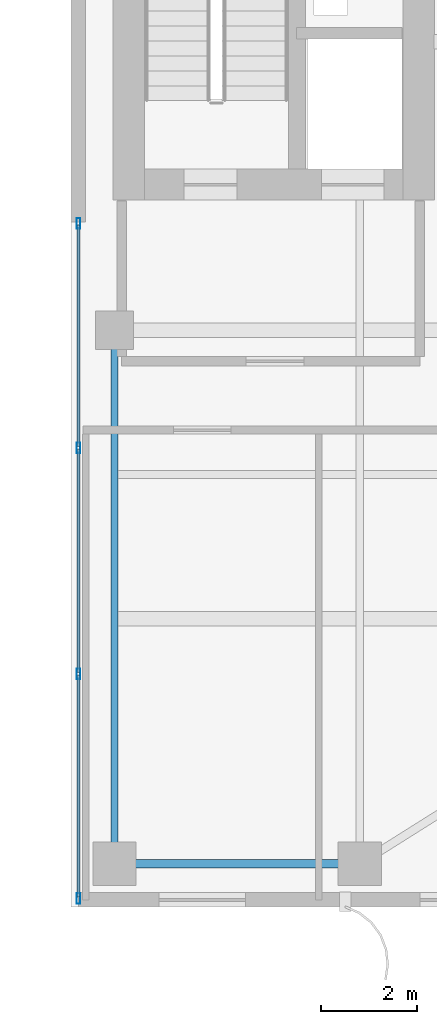
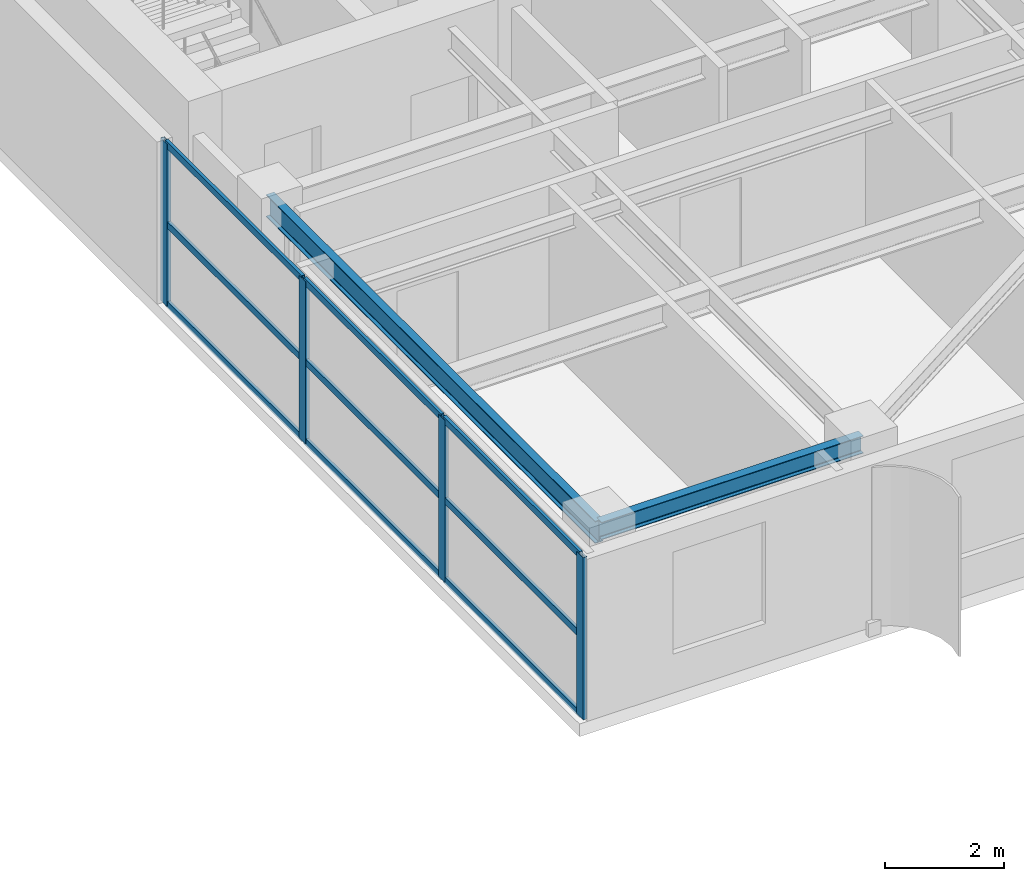
# One storey, part 5 of 22: 13 members, 2 beams, 1 element without a shape of its own.
"""IFC4 building model written with IfcOpenShell, lengths in metres."""

import ifcopenshell
import ifcopenshell.guid

model = None  # the IFC model being written
_history = None  # IfcOwnerHistory: only IFC2X3 demands one
_inside = {}  # id of a spatial element -> (the spatial element, [elements in it])
_under = {}  # id of a project, library or spatial element -> (it, [spatial elements below it])
_declared = {}  # id of a project -> (the project, [libraries it declares])
_typed = {}  # id of a type object -> (the type object, [elements of that type])
_made_of = {}  # id of a material, layer set ... -> (it, [elements and type objects made of it])


def new_model(schema):
    """Start an empty IFC model of exactly this schema.

    Asked for "IFC4X3", IfcOpenShell would pick the latest addendum, in which some entities
    have other attributes; the version numbers below select the first issue.
    IFC2X3 requires an IfcOwnerHistory on every rooted entity: one is made here for all.
    """
    global model, _history
    if schema == "IFC4X3":
        model = ifcopenshell.file(schema_version=(4, 3, 0, 0))
    else:
        model = ifcopenshell.file(schema=schema)
    _inside.clear()
    _under.clear()
    _declared.clear()
    _typed.clear()
    _made_of.clear()
    _history = None
    if model.schema == "IFC2X3":
        org = make("IfcOrganization", Name="unknown")
        user = make(
            "IfcPersonAndOrganization",
            ThePerson=make("IfcPerson", FamilyName="unknown"),
            TheOrganization=org,
        )
        app = make(
            "IfcApplication",
            ApplicationDeveloper=org,
            Version="unknown",
            ApplicationFullName="unknown",
            ApplicationIdentifier="unknown",
        )
        _history = make(
            "IfcOwnerHistory",
            OwningUser=user,
            OwningApplication=app,
            ChangeAction="ADDED",
            CreationDate=0,
        )
    return model


def make(cls, **values):
    """One entity of the class cls with the attributes given. An attribute that is None is left unset."""
    return model.create_entity(
        cls, **{name: value for name, value in values.items() if value is not None}
    )


def rooted(cls, **values):
    """An entity with a GlobalId (a new one), such as an element, a storey or a relation."""
    return make(cls, GlobalId=ifcopenshell.guid.new(), OwnerHistory=_history, **values)


def si_unit(unit_type, name, prefix=None):
    """IfcSIUnit, for example si_unit("LENGTHUNIT", "METRE", prefix="MILLI")."""
    return make("IfcSIUnit", UnitType=unit_type, Prefix=prefix, Name=name)


def assignment(units):
    """IfcUnitAssignment: the units of a project."""
    return None if units is None else make("IfcUnitAssignment", Units=units)


def point(xyz):
    """IfcCartesianPoint."""
    return None if xyz is None else make("IfcCartesianPoint", Coordinates=xyz)


def direction(xyz):
    """IfcDirection."""
    return None if xyz is None else make("IfcDirection", DirectionRatios=xyz)


def frame(location, z_axis=None, x_axis=None):
    """IfcAxis2Placement3D, a coordinate frame: its origin and axes. An axis left out is left unset."""
    return make(
        "IfcAxis2Placement3D",
        Location=point(location),
        Axis=direction(z_axis),
        RefDirection=direction(x_axis),
    )


def frame_2d(location, x_axis=None):
    """IfcAxis2Placement2D, a coordinate frame in the plane: its origin and x axis."""
    return make(
        "IfcAxis2Placement2D", Location=point(location), RefDirection=direction(x_axis)
    )


def origin():
    """The frame at (0, 0, 0) with its axes left unset."""
    return frame((0.0, 0.0, 0.0))


def origin_2d():
    """The frame at (0, 0) in the plane with its x axis left unset."""
    return frame_2d((0.0, 0.0))


def place(relative_to, where):
    """IfcLocalPlacement: puts the frame where relative to a parent placement (None: the world)."""
    return make(
        "IfcLocalPlacement", PlacementRelTo=relative_to, RelativePlacement=where
    )


def context(
    kind, dimensions, precision=None, world=None, true_north=None, identifier=None
):
    """IfcGeometricRepresentationContext, for example the 3D "Model" context."""
    return make(
        "IfcGeometricRepresentationContext",
        ContextIdentifier=identifier,
        ContextType=kind,
        CoordinateSpaceDimension=dimensions,
        Precision=precision,
        WorldCoordinateSystem=world,
        TrueNorth=true_north,
    )


def subcontext(parent, identifier, kind, view, scale=None):
    """IfcGeometricRepresentationSubContext, for example "Body" below "Model"."""
    return make(
        "IfcGeometricRepresentationSubContext",
        ContextIdentifier=identifier,
        ContextType=kind,
        ParentContext=parent,
        TargetScale=scale,
        TargetView=view,
    )


def project(units=None, contexts=None):
    """IfcProject with its units and contexts."""
    return rooted(
        "IfcProject",
        Name="project",
        RepresentationContexts=contexts,
        UnitsInContext=assignment(units),
    )


def spatial(cls, under=None, at=None, **own):
    """A site, building, storey or space (cls), placed at a placement, below another one or the project."""
    s = rooted(cls, ObjectPlacement=at, **own)
    if under is not None:
        _under.setdefault(under.id(), (under, []))[1].append(s)
    return s


def profile(cls, at=None, kind="AREA", **sizes):
    """A parametric profile (cls). Its sizes go by their IFC names, for example OverallWidth=200.0."""
    return make(cls, ProfileType=kind, Position=at, **sizes)


def hollow_rectangle(**sizes):
    """IfcRectangleHollowProfileDef."""
    return profile("IfcRectangleHollowProfileDef", **sizes)


def i_section(**sizes):
    """IfcIShapeProfileDef."""
    return profile("IfcIShapeProfileDef", **sizes)


def extrude(swept, where, along, depth):
    """IfcExtrudedAreaSolid: the profile swept, set in the frame where, extruded along a direction by depth."""
    return make(
        "IfcExtrudedAreaSolid",
        SweptArea=swept,
        Position=where,
        ExtrudedDirection=direction(along),
        Depth=depth,
    )


def shape(context_of_items, identifier, shape_type, items):
    """IfcShapeRepresentation: the items that make up one representation, for example the "Body"."""
    return make(
        "IfcShapeRepresentation",
        ContextOfItems=context_of_items,
        RepresentationIdentifier=identifier,
        RepresentationType=shape_type,
        Items=items,
    )


def source(mapping_origin, context_of_items, identifier, shape_type, items):
    """IfcRepresentationMap: a shape defined once, which mapped items show again and again."""
    return make(
        "IfcRepresentationMap",
        MappingOrigin=mapping_origin,
        MappedRepresentation=shape(context_of_items, identifier, shape_type, items),
    )


def transform(
    local_origin,
    x_axis=None,
    y_axis=None,
    z_axis=None,
    scale=None,
    scale2=None,
    scale3=None,
    uniform=True,
):
    """IfcCartesianTransformationOperator3D, or its non-uniform kind. x_axis, y_axis, z_axis: its Axis1, 2, 3."""
    if uniform:
        return make(
            "IfcCartesianTransformationOperator3D",
            Axis1=direction(x_axis),
            Axis2=direction(y_axis),
            LocalOrigin=point(local_origin),
            Scale=scale,
            Axis3=direction(z_axis),
        )
    return make(
        "IfcCartesianTransformationOperator3DnonUniform",
        Axis1=direction(x_axis),
        Axis2=direction(y_axis),
        LocalOrigin=point(local_origin),
        Scale=scale,
        Axis3=direction(z_axis),
        Scale2=scale2,
        Scale3=scale3,
    )


def mapped(mapping_source, mapping_target):
    """IfcMappedItem: shows the shape of a source again, moved by a transform."""
    return make(
        "IfcMappedItem", MappingSource=mapping_source, MappingTarget=mapping_target
    )


def material(Name=None, Category=None):
    """IfcMaterial."""
    return make("IfcMaterial", Name=Name, Category=Category)


def layer(
    of_material, thickness, ventilated=None, Name=None, Category=None, Priority=None
):
    """IfcMaterialLayer: one layer of a wall or slab, of a material (None: an air gap)."""
    return make(
        "IfcMaterialLayer",
        Material=of_material,
        LayerThickness=thickness,
        IsVentilated=ventilated,
        Name=Name,
        Category=Category,
        Priority=Priority,
    )


def layer_set(layers, Name=None):
    """IfcMaterialLayerSet."""
    return make("IfcMaterialLayerSet", MaterialLayers=layers, LayerSetName=Name)


def material_profile(
    of_material, cross_section, Name=None, Category=None, Priority=None
):
    """IfcMaterialProfile: a cross section and its material."""
    return make(
        "IfcMaterialProfile",
        Name=Name,
        Material=of_material,
        Profile=cross_section,
        Priority=Priority,
        Category=Category,
    )


def profile_set(profiles, Name=None, composite=None):
    """IfcMaterialProfileSet."""
    return make(
        "IfcMaterialProfileSet",
        Name=Name,
        MaterialProfiles=profiles,
        CompositeProfile=composite,
    )


def made_of(thing, what):
    """Note that an element or type object is made of a material, layer set ...; save() writes the relation."""
    if what is not None:
        _made_of.setdefault(what.id(), (what, []))[1].append(thing)
    return thing


def type_object(cls, material=None, **own):
    """A type object (cls), such as IfcWallType, which elements share."""
    return made_of(rooted(cls, **own), material)


def element(
    cls,
    number,
    at=None,
    inside=None,
    cuts=None,
    type_object=None,
    material=None,
    context=None,
    identifier="Body",
    shape_type=None,
    held_by="IfcProductDefinitionShape",
    body=None,
    shapes=None,
    **own,
):
    """One element of the class cls, such as IfcWall. Its Tag is "e" and its number.

    at: its placement. inside: the storey or other place that contains it. cuts: it is an
    opening in that element (IfcRelVoidsElement). A single representation is given by context,
    identifier, shape_type and body (its items); several are given by shapes. held_by: the class
    of the entity that holds the representations. save() writes the other relations.
    """
    e = rooted(cls, Tag="e%d" % number, ObjectPlacement=at, **own)
    if body is not None:
        shapes = [shape(context, identifier, shape_type, body)]
    if shapes is not None:
        e.Representation = make(held_by, Representations=shapes)
    if inside is not None:
        _inside.setdefault(inside.id(), (inside, []))[1].append(e)
    if cuts is not None:
        rooted(
            "IfcRelVoidsElement", RelatingBuildingElement=cuts, RelatedOpeningElement=e
        )
    if type_object is not None:
        _typed.setdefault(type_object.id(), (type_object, []))[1].append(e)
    return made_of(e, material)


def aggregate(whole, parts):
    """IfcRelAggregates: a whole, such as a stair, and the parts it consists of."""
    return rooted("IfcRelAggregates", RelatingObject=whole, RelatedObjects=parts)


def save(model, path):
    """Write the relations noted so far, then the file.

    IfcRelAggregates (storeys below a building ...), IfcRelContainedInSpatialStructure (elements
    in a storey), IfcRelDefinesByType, IfcRelAssociatesMaterial and IfcRelDeclares: one each for
    every whole, place, type object, material and project.
    """
    for whole, parts in _under.values():
        aggregate(whole, parts)
    for where, things in _inside.values():
        rooted(
            "IfcRelContainedInSpatialStructure",
            RelatedElements=things,
            RelatingStructure=where,
        )
    for kind, things in _typed.values():
        rooted("IfcRelDefinesByType", RelatedObjects=things, RelatingType=kind)
    for what, things in _made_of.values():
        rooted("IfcRelAssociatesMaterial", RelatedObjects=things, RelatingMaterial=what)
    for by, libraries in _declared.values():
        rooted("IfcRelDeclares", RelatingContext=by, RelatedDefinitions=libraries)
    model.write(path)


model = new_model("IFC4")

# Units and contexts
model_context = context("Model", 3, precision=1e-05, world=origin(), true_north=direction((0.0, 1.0)))
body_context = subcontext(model_context, "Body", "Model", "MODEL_VIEW")
ifc_project = project(units=[si_unit("LENGTHUNIT", "METRE"), si_unit("AREAUNIT", "SQUARE_METRE"), si_unit("VOLUMEUNIT", "CUBIC_METRE"), si_unit("PLANEANGLEUNIT", "RADIAN"), si_unit("MASSUNIT", "GRAM", prefix="KILO")], contexts=[model_context])

# Site, building, storey
site_placement = place(None, origin())
site = spatial("IfcSite", under=ifc_project, at=site_placement, CompositionType="ELEMENT")
building_placement = place(site_placement, origin())
building = spatial("IfcBuilding", under=site, at=building_placement, Name="Khoralis Quay Care Tower", CompositionType="ELEMENT")
storey_placement = place(building_placement, frame((0.0, 0.0, 209.699951171875)))
storey = spatial("IfcBuildingStorey", under=building, at=storey_placement, Name="L55", CompositionType="ELEMENT", Elevation=209.699951171875)

# Beams
ifc_material_1 = material(Name="Steel S355", Category="steel")
ifc_material_profile_1 = material_profile(ifc_material_1, i_section(OverallWidth=0.169921875, OverallDepth=0.360107421875, WebThickness=0.008056640625, FlangeThickness=0.0126953125, FilletRadius=0.01806640625, at=origin_2d()), Name="Steel S355")
ifc_profile_set_1 = profile_set([ifc_material_profile_1], Name="Steel S355")
beam_type_1 = type_object("IfcBeamType", Name="BM-IPE360", PredefinedType="SPANDREL", material=ifc_profile_set_1)
shared_shape_1 = source(origin(), body_context, "Body", "SweptSolid", [
    extrude(i_section(OverallWidth=0.169921875, OverallDepth=0.360107421875, WebThickness=0.008056640625, FlangeThickness=0.0126953125, FilletRadius=0.01806640625, at=origin_2d()), origin(), (0.0, 0.0, 1.0), 5.10009765625),
])
beam_1_placement = place(storey_placement, frame((30.89990234375, 0.89990234375, 3.16015625), z_axis=(1.0, 0.0, 0.0), x_axis=(0.0, 1.0, 0.0)))
element("IfcBeam", 1, at=beam_1_placement, inside=storey, type_object=beam_type_1, Name="BM-TSP-L55-02", PredefinedType="SPANDREL", context=body_context, shape_type="MappedRepresentation", body=[
    mapped(shared_shape_1, transform((0.0, 0.0, 0.0), scale=1.0)),
])
ifc_material_profile_2 = material_profile(ifc_material_1, i_section(OverallWidth=0.154052734375, OverallDepth=0.458984375, WebThickness=0.009033203125, FlangeThickness=0.015380859375, FilletRadius=0.014892578125, at=origin_2d()), Name="Steel S355")
ifc_profile_set_2 = profile_set([ifc_material_profile_2], Name="Steel S355")
beam_type_2 = type_object("IfcBeamType", Name="BM-W460X68", PredefinedType="BEAM", material=ifc_profile_set_2)
shared_shape_2 = source(origin(), body_context, "Body", "SweptSolid", [
    extrude(i_section(OverallWidth=0.154052734375, OverallDepth=0.458984375, WebThickness=0.009033203125, FlangeThickness=0.015380859375, FilletRadius=0.014892578125, at=origin_2d()), origin(), (0.0, 0.0, 1.0), 11.10009765625),
])
beam_2_placement = place(storey_placement, frame((30.89990234375, 0.89990234375, 3.110595703125), z_axis=(0.0, 1.0, 0.0), x_axis=(-1.0, 0.0, 0.0)))
element("IfcBeam", 2, at=beam_2_placement, inside=storey, type_object=beam_type_2, Name="BM-TGYS-L55-309", PredefinedType="BEAM", context=body_context, shape_type="MappedRepresentation", body=[
    mapped(shared_shape_2, transform((0.0, 0.0, 0.0), scale=1.0)),
])

# Curtain wall, members
ifc_material_2 = material(Name="Pale anodised aluminium", Category="aluminium")
ifc_layer = layer(ifc_material_2, 0.18994140625)
ifc_layer_set = layer_set([ifc_layer], Name="Pale anodised aluminium")
curtain_wall_type = type_object("IfcCurtainWallType", Name="CW-SYS-PORTAL", PredefinedType="NOTDEFINED", material=ifc_layer_set)
curtain_wall_placement = place(storey_placement, origin())
curtain_wall = element("IfcCurtainWall", 3, at=curtain_wall_placement, inside=storey, type_object=curtain_wall_type, Name="L55 Unitised Curtain Wall CW-VP-L55-P2-S", PredefinedType="NOTDEFINED")
ifc_material_profile_3 = material_profile(ifc_material_2, hollow_rectangle(XDim=0.074951171875, YDim=0.219970703125, WallThickness=0.00390625, at=origin_2d()), Name="Pale anodised aluminium")
ifc_profile_set_3 = profile_set([ifc_material_profile_3], Name="Pale anodised aluminium")
member_type_1 = type_object("IfcMemberType", Name="CW-MUL-220", PredefinedType="MULLION", material=ifc_profile_set_3)
shared_shape_3 = source(origin(), body_context, "Body", "SweptSolid", [
    extrude(hollow_rectangle(XDim=0.074951171875, YDim=0.219970703125, WallThickness=0.00390625, at=origin_2d()), origin(), (0.0, 0.0, 1.0), 3.340087890625),
])
member_1_placement = place(storey_placement, frame((30.14990234375, 0.179931640625, 0.0), z_axis=(0.0, 0.0, 1.0), x_axis=(-1.0, 0.0, 0.0)))
member_1 = element("IfcMember", 4, at=member_1_placement, type_object=member_type_1, Name="CW4 mullion 1", PredefinedType="MULLION", context=body_context, shape_type="MappedRepresentation", body=[
    mapped(shared_shape_3, transform((0.0, 0.0, 0.0), scale=1.0)),
])
member_2_placement = place(storey_placement, frame((30.14990234375, 4.85009765625, 0.0), z_axis=(0.0, 0.0, 1.0), x_axis=(-1.0, 0.0, 0.0)))
member_2 = element("IfcMember", 5, at=member_2_placement, type_object=member_type_1, Name="CW4 mullion 2", PredefinedType="MULLION", context=body_context, shape_type="MappedRepresentation", body=[
    mapped(shared_shape_3, transform((0.0, 0.0, 0.0), scale=1.0)),
])
member_3_placement = place(storey_placement, frame((30.14990234375, 9.550048828125, 0.0), z_axis=(0.0, 0.0, 1.0), x_axis=(-1.0, 0.0, 0.0)))
member_3 = element("IfcMember", 6, at=member_3_placement, type_object=member_type_1, Name="CW4 mullion 3", PredefinedType="MULLION", context=body_context, shape_type="MappedRepresentation", body=[
    mapped(shared_shape_3, transform((0.0, 0.0, 0.0), scale=1.0)),
])
member_4_placement = place(storey_placement, frame((30.14990234375, 14.219970703125, 0.0), z_axis=(0.0, 0.0, 1.0), x_axis=(-1.0, 0.0, 0.0)))
member_4 = element("IfcMember", 7, at=member_4_placement, type_object=member_type_1, Name="CW4 mullion 4", PredefinedType="MULLION", context=body_context, shape_type="MappedRepresentation", body=[
    mapped(shared_shape_3, transform((0.0, 0.0, 0.0), scale=1.0)),
])
ifc_material_profile_4 = material_profile(ifc_material_2, hollow_rectangle(XDim=0.06005859375, YDim=0.139892578125, WallThickness=0.00390625, at=origin_2d()), Name="Pale anodised aluminium")
ifc_profile_set_4 = profile_set([ifc_material_profile_4], Name="Pale anodised aluminium")
member_type_2 = type_object("IfcMemberType", Name="CW-TRN-140", PredefinedType="USERDEFINED", material=ifc_profile_set_4)
shared_shape_4 = source(origin(), body_context, "Body", "SweptSolid", [
    extrude(hollow_rectangle(XDim=0.06005859375, YDim=0.139892578125, WallThickness=0.00390625, at=origin_2d()), origin(), (0.0, 0.0, 1.0), 4.610107421875),
])
member_5_placement = place(storey_placement, frame((30.14990234375, 0.2099609375, 0.030029296875), z_axis=(0.0, 1.0, 0.0), x_axis=(-1.0, 0.0, 0.0)))
member_5 = element("IfcMember", 8, at=member_5_placement, type_object=member_type_2, Name="CW4 transom 1.1", ObjectType="TRANSOM", PredefinedType="USERDEFINED", context=body_context, shape_type="MappedRepresentation", body=[
    mapped(shared_shape_4, transform((0.0, 0.0, 0.0), scale=1.0)),
])
member_6_placement = place(storey_placement, frame((30.14990234375, 0.2099609375, 1.670166015625), z_axis=(0.0, 1.0, 0.0), x_axis=(-1.0, 0.0, 0.0)))
member_6 = element("IfcMember", 9, at=member_6_placement, type_object=member_type_2, Name="CW4 transom 1.2", ObjectType="TRANSOM", PredefinedType="USERDEFINED", context=body_context, shape_type="MappedRepresentation", body=[
    mapped(shared_shape_4, transform((0.0, 0.0, 0.0), scale=1.0)),
])
member_7_placement = place(storey_placement, frame((30.14990234375, 0.2099609375, 3.31005859375), z_axis=(0.0, 1.0, 0.0), x_axis=(-1.0, 0.0, 0.0)))
member_7 = element("IfcMember", 10, at=member_7_placement, type_object=member_type_2, Name="CW4 transom 1.3", ObjectType="TRANSOM", PredefinedType="USERDEFINED", context=body_context, shape_type="MappedRepresentation", body=[
    mapped(shared_shape_4, transform((0.0, 0.0, 0.0), scale=1.0)),
])
shared_shape_5 = source(origin(), body_context, "Body", "SweptSolid", [
    extrude(hollow_rectangle(XDim=0.06005859375, YDim=0.139892578125, WallThickness=0.00390625, at=origin_2d()), origin(), (0.0, 0.0, 1.0), 4.64013671875),
])
member_8_placement = place(storey_placement, frame((30.14990234375, 4.8798828125, 0.030029296875), z_axis=(0.0, 1.0, 0.0), x_axis=(-1.0, 0.0, 0.0)))
member_8 = element("IfcMember", 11, at=member_8_placement, type_object=member_type_2, Name="CW4 transom 2.1", ObjectType="TRANSOM", PredefinedType="USERDEFINED", context=body_context, shape_type="MappedRepresentation", body=[
    mapped(shared_shape_5, transform((0.0, 0.0, 0.0), scale=1.0)),
])
member_9_placement = place(storey_placement, frame((30.14990234375, 4.8798828125, 1.670166015625), z_axis=(0.0, 1.0, 0.0), x_axis=(-1.0, 0.0, 0.0)))
member_9 = element("IfcMember", 12, at=member_9_placement, type_object=member_type_2, Name="CW4 transom 2.2", ObjectType="TRANSOM", PredefinedType="USERDEFINED", context=body_context, shape_type="MappedRepresentation", body=[
    mapped(shared_shape_5, transform((0.0, 0.0, 0.0), scale=1.0)),
])
member_10_placement = place(storey_placement, frame((30.14990234375, 4.8798828125, 3.31005859375), z_axis=(0.0, 1.0, 0.0), x_axis=(-1.0, 0.0, 0.0)))
member_10 = element("IfcMember", 13, at=member_10_placement, type_object=member_type_2, Name="CW4 transom 2.3", ObjectType="TRANSOM", PredefinedType="USERDEFINED", context=body_context, shape_type="MappedRepresentation", body=[
    mapped(shared_shape_5, transform((0.0, 0.0, 0.0), scale=1.0)),
])
shared_shape_6 = source(origin(), body_context, "Body", "SweptSolid", [
    extrude(hollow_rectangle(XDim=0.06005859375, YDim=0.139892578125, WallThickness=0.00390625, at=origin_2d()), origin(), (0.0, 0.0, 1.0), 4.60986328125),
])
member_11_placement = place(storey_placement, frame((30.14990234375, 9.580078125, 0.030029296875), z_axis=(0.0, 1.0, 0.0), x_axis=(-1.0, 0.0, 0.0)))
member_11 = element("IfcMember", 14, at=member_11_placement, type_object=member_type_2, Name="CW4 transom 3.1", ObjectType="TRANSOM", PredefinedType="USERDEFINED", context=body_context, shape_type="MappedRepresentation", body=[
    mapped(shared_shape_6, transform((0.0, 0.0, 0.0), scale=1.0)),
])
member_12_placement = place(storey_placement, frame((30.14990234375, 9.580078125, 1.670166015625), z_axis=(0.0, 1.0, 0.0), x_axis=(-1.0, 0.0, 0.0)))
member_12 = element("IfcMember", 15, at=member_12_placement, type_object=member_type_2, Name="CW4 transom 3.2", ObjectType="TRANSOM", PredefinedType="USERDEFINED", context=body_context, shape_type="MappedRepresentation", body=[
    mapped(shared_shape_6, transform((0.0, 0.0, 0.0), scale=1.0)),
])
member_13_placement = place(storey_placement, frame((30.14990234375, 9.580078125, 3.31005859375), z_axis=(0.0, 1.0, 0.0), x_axis=(-1.0, 0.0, 0.0)))
member_13 = element("IfcMember", 16, at=member_13_placement, type_object=member_type_2, Name="CW4 transom 3.3", ObjectType="TRANSOM", PredefinedType="USERDEFINED", context=body_context, shape_type="MappedRepresentation", body=[
    mapped(shared_shape_6, transform((0.0, 0.0, 0.0), scale=1.0)),
])
aggregate(curtain_wall, [member_1, member_2, member_3, member_4, member_5, member_6, member_7, member_8, member_9, member_10, member_11, member_12, member_13])

save(model, "model.ifc")
